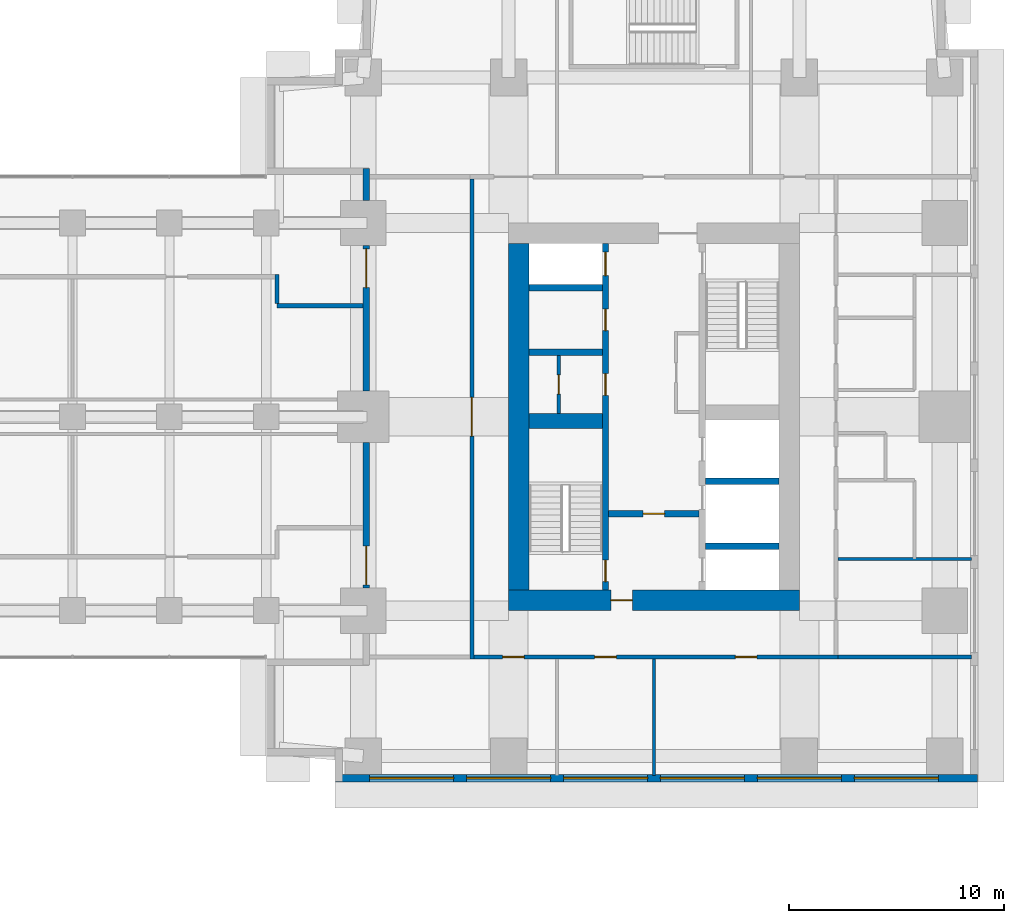
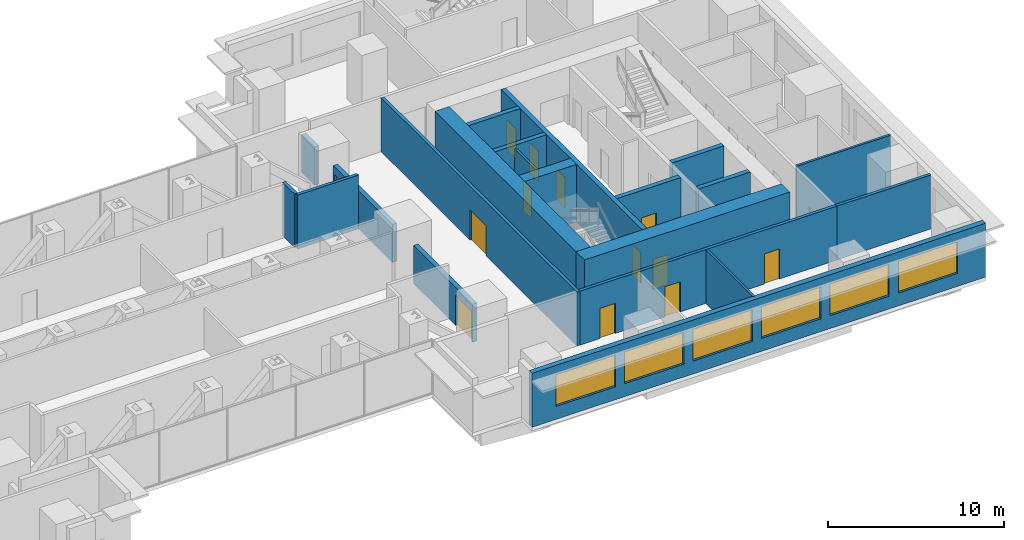
# One storey, part 10 of 16: 21 walls, 13 doors, 6 windows, 19 openings.
"""IFC4 building model written with IfcOpenShell, lengths in metres."""

from ifc_helpers import new_model, si_unit, direction, frame, frame_2d, origin, place, context, subcontext, project, spatial, rectangle, extrude, material, layer, layer_set, type_object, element, fill, save


model = new_model("IFC4")

# Units and contexts
model_context = context("Model", 3, precision=1e-05, world=origin(), true_north=direction((0.0, 1.0)))
body_context = subcontext(model_context, "Body", "Model", "MODEL_VIEW")
ifc_project = project(units=[si_unit("LENGTHUNIT", "METRE"), si_unit("AREAUNIT", "SQUARE_METRE"), si_unit("VOLUMEUNIT", "CUBIC_METRE"), si_unit("PLANEANGLEUNIT", "RADIAN"), si_unit("MASSUNIT", "GRAM", prefix="KILO")], contexts=[model_context])

# Site, building, storey
site_placement = place(None, origin())
site = spatial("IfcSite", under=ifc_project, at=site_placement, CompositionType="ELEMENT")
building_placement = place(site_placement, origin())
building = spatial("IfcBuilding", under=site, at=building_placement, Name="Namib Vertical Campus", CompositionType="ELEMENT")
storey_placement = place(building_placement, frame((0.0, 0.0, 129.0)))
storey = spatial("IfcBuildingStorey", under=building, at=storey_placement, Name="L30", CompositionType="ELEMENT", Elevation=129.0)

# Wall, openings, doors
ifc_material_1 = material(Name="Concrete C60/75", Category="concrete")
ifc_layer_1 = layer(ifc_material_1, 0.300048828125)
ifc_layer_set_1 = layer_set([ifc_layer_1], Name="Concrete C60/75")
wall_type_1 = type_object("IfcWallType", Name="Core inner wall 300", PredefinedType="SHEAR", material=ifc_layer_set_1)
wall_1_placement = place(storey_placement, frame((78.75, 12.199951171875, 0.0), z_axis=(0.0, 0.0, 1.0), x_axis=(0.0, 1.0, 0.0)))
wall_1 = element("IfcWall", 1, at=wall_1_placement, inside=storey, type_object=wall_type_1, Name="Core inner wall B L30 W1", PredefinedType="SHEAR", context=body_context, shape_type="SweptSolid", body=[
    extrude(rectangle(XDim=16.10009765625, YDim=0.300048828125, at=frame_2d((8.050048828125, 0.0))), origin(), (0.0, 0.0, 1.0), 4.0),
])
opening_1_placement = place(wall_1_placement, frame((0.39990234375, 0.0, 0.0)))
opening_1 = element("IfcOpeningElement", 2, at=opening_1_placement, cuts=wall_1, Name="Opening FD1", PredefinedType="OPENING", context=body_context, shape_type="SweptSolid", body=[
    extrude(rectangle(XDim=1.0, YDim=2.10009765625, at=frame_2d((0.5, 1.050048828125))), frame((0.0, 0.159912109375, 0.0), z_axis=(0.0, -1.0, 0.0), x_axis=(1.0, 0.0, 0.0)), (0.0, 0.0, 1.0), 0.320068359375),
])
opening_2_placement = place(wall_1_placement, frame((14.60009765625, 0.0, 0.0)))
opening_2 = element("IfcOpeningElement", 3, at=opening_2_placement, cuts=wall_1, Name="Opening LD1", PredefinedType="OPENING", context=body_context, shape_type="SweptSolid", body=[
    extrude(rectangle(XDim=1.10009765625, YDim=2.10009765625, at=frame_2d((0.550048828125, 1.050048828125))), frame((0.0, 0.159912109375, 0.0), z_axis=(0.0, -1.0, 0.0), x_axis=(1.0, 0.0, 0.0)), (0.0, 0.0, 1.0), 0.320068359375),
])
opening_3_placement = place(wall_1_placement, frame((9.050048828125, 0.0, 0.0)))
opening_3 = element("IfcOpeningElement", 4, at=opening_3_placement, cuts=wall_1, Name="Opening D1", PredefinedType="OPENING", context=body_context, shape_type="SweptSolid", body=[
    extrude(rectangle(XDim=1.0, YDim=2.10009765625, at=frame_2d((0.5, 1.050048828125))), frame((0.0, 0.159912109375, 0.0), z_axis=(0.0, -1.0, 0.0), x_axis=(1.0, 0.0, 0.0)), (0.0, 0.0, 1.0), 0.320068359375),
])
opening_4_placement = place(wall_1_placement, frame((12.050048828125, 0.0, 0.0)))
opening_4 = element("IfcOpeningElement", 5, at=opening_4_placement, cuts=wall_1, Name="Opening D1", PredefinedType="OPENING", context=body_context, shape_type="SweptSolid", body=[
    extrude(rectangle(XDim=1.0, YDim=2.10009765625, at=frame_2d((0.5, 1.050048828125))), frame((0.0, 0.159912109375, 0.0), z_axis=(0.0, -1.0, 0.0), x_axis=(1.0, 0.0, 0.0)), (0.0, 0.0, 1.0), 0.320068359375),
])
ifc_material_2 = material(Name="Timber door leaf", Category="wood")
door_type_1 = type_object("IfcDoorType", Name="Door single 1000x2100", OperationType="SINGLE_SWING_LEFT", PredefinedType="DOOR", material=ifc_material_2)
door_1_placement = place(opening_3_placement, origin())
door_1 = element("IfcDoor", 6, at=door_1_placement, inside=storey, type_object=door_type_1, Name="Door D1 Records store B L30 P1", OperationType="SINGLE_SWING_LEFT", OverallHeight=2.10009765625, OverallWidth=1.0, PredefinedType="DOOR", context=body_context, shape_type="SweptSolid", body=[
    extrude(rectangle(XDim=1.0, YDim=2.10009765625, at=frame_2d((0.5, 1.050048828125))), frame((0.0, 0.02490234375, 0.0), z_axis=(0.0, -1.0, 0.0), x_axis=(1.0, 0.0, 0.0)), (0.0, 0.0, 1.0), 0.050048828125),
])
fill(opening_3, door_1)
door_2_placement = place(opening_4_placement, origin())
door_2 = element("IfcDoor", 7, at=door_2_placement, inside=storey, type_object=door_type_1, Name="Door D1 Staff pantry B L30 P2", OperationType="SINGLE_SWING_LEFT", OverallHeight=2.10009765625, OverallWidth=1.0, PredefinedType="DOOR", context=body_context, shape_type="SweptSolid", body=[
    extrude(rectangle(XDim=1.0, YDim=2.10009765625, at=frame_2d((0.5, 1.050048828125))), frame((0.0, 0.02490234375, 0.0), z_axis=(0.0, -1.0, 0.0), x_axis=(1.0, 0.0, 0.0)), (0.0, 0.0, 1.0), 0.050048828125),
])
fill(opening_4, door_2)
ifc_material_3 = material(Name="Steel fire door", Category="steel")
door_type_2 = type_object("IfcDoorType", Name="Fire door 1000x2100", OperationType="SINGLE_SWING_RIGHT", PredefinedType="DOOR", material=ifc_material_3)
door_3_placement = place(opening_1_placement, origin())
door_3 = element("IfcDoor", 8, at=door_3_placement, inside=storey, type_object=door_type_2, Name="Stair door FD1 B L30 S1", OperationType="SINGLE_SWING_LEFT", OverallHeight=2.10009765625, OverallWidth=1.0, PredefinedType="DOOR", context=body_context, shape_type="SweptSolid", body=[
    extrude(rectangle(XDim=1.0, YDim=2.10009765625, at=frame_2d((0.5, 1.050048828125))), frame((0.0, 0.02490234375, 0.0), z_axis=(0.0, -1.0, 0.0), x_axis=(1.0, 0.0, 0.0)), (0.0, 0.0, 1.0), 0.050048828125),
])
fill(opening_1, door_3)
ifc_material_4 = material(Name="Stainless steel lift door", Category="steel")
door_type_3 = type_object("IfcDoorType", Name="Lift landing door 1100x2100", OperationType="DOUBLE_DOOR_SLIDING", PredefinedType="DOOR", material=ifc_material_4)
door_4_placement = place(opening_2_placement, origin())
door_4 = element("IfcDoor", 9, at=door_4_placement, inside=storey, type_object=door_type_3, Name="Lift landing door LD1 B-P3 L30", OperationType="DOUBLE_DOOR_SLIDING", OverallHeight=2.10009765625, OverallWidth=1.10009765625, PredefinedType="DOOR", context=body_context, shape_type="SweptSolid", body=[
    extrude(rectangle(XDim=1.10009765625, YDim=2.10009765625, at=frame_2d((0.550048828125, 1.050048828125))), frame((0.0, 0.02490234375, 0.0), z_axis=(0.0, -1.0, 0.0), x_axis=(1.0, 0.0, 0.0)), (0.0, 0.0, 1.0), 0.050048828125),
])
fill(opening_2, door_4)

# Wall, opening, door
wall_2_placement = place(storey_placement, frame((78.89990234375, 15.75, 0.0), z_axis=(0.0, 0.0, 1.0), x_axis=(1.0, 0.0, 0.0)))
wall_2 = element("IfcWall", 10, at=wall_2_placement, inside=storey, type_object=wall_type_1, Name="Core inner wall B L30 W4", PredefinedType="SHEAR", context=body_context, shape_type="SweptSolid", body=[
    extrude(rectangle(XDim=4.2001953125, YDim=0.300048828125, at=frame_2d((2.10009765625, 0.0))), origin(), (0.0, 0.0, 1.0), 4.0),
])
opening_5_placement = place(wall_2_placement, frame((1.60009765625, 0.0, 0.0)))
opening_5 = element("IfcOpeningElement", 11, at=opening_5_placement, cuts=wall_2, Name="Opening FD5", PredefinedType="OPENING", context=body_context, shape_type="SweptSolid", body=[
    extrude(rectangle(XDim=1.0, YDim=2.10009765625, at=frame_2d((0.5, 1.050048828125))), frame((0.0, 0.159912109375, 0.0), z_axis=(0.0, -1.0, 0.0), x_axis=(1.0, 0.0, 0.0)), (0.0, 0.0, 1.0), 0.320068359375),
])
ifc_material_5 = material(Name="Steel fire door", Category="steel")
door_type_4 = type_object("IfcDoorType", Name="Fire door 1000x2100 120 min", OperationType="SINGLE_SWING_RIGHT", PredefinedType="DOOR", material=ifc_material_5)
door_5_placement = place(opening_5_placement, frame((1.0, 0.0, 0.0), z_axis=(0.0, 0.0, 1.0), x_axis=(-1.0, 0.0, 0.0)))
door_5 = element("IfcDoor", 12, at=door_5_placement, inside=storey, type_object=door_type_4, Name="Lobby door FD5 B L30", OperationType="SINGLE_SWING_RIGHT", OverallHeight=2.10009765625, OverallWidth=1.0, PredefinedType="DOOR", context=body_context, shape_type="SweptSolid", body=[
    extrude(rectangle(XDim=1.0, YDim=2.10009765625, at=frame_2d((0.5, 1.050048828125))), frame((0.0, 0.02490234375, 0.0), z_axis=(0.0, -1.0, 0.0), x_axis=(1.0, 0.0, 0.0)), (0.0, 0.0, 1.0), 0.050048828125),
])
fill(opening_5, door_5)

# Walls
for number, where, z_axis, x_axis, name in (
    (13, (83.39990234375, 14.25, 0.0), (0.0, 0.0, 1.0), (1.0, 0.0, 0.0), "Core inner wall B L30 W5"),
    (14, (83.39990234375, 17.25, 0.0), (0.0, 0.0, 1.0), (1.0, 0.0, 0.0), "Core inner wall B L30 W6"),
    (15, (75.199951171875, 23.25, 0.0), (0.0, 0.0, 1.0), (1.0, 0.0, 0.0), "Core inner wall B L30 W8"),
    (16, (75.199951171875, 26.25, 0.0), (0.0, 0.0, 1.0), (1.0, 0.0, 0.0), "Core inner wall B L30 W9"),
):
    element("IfcWall", number, at=place(storey_placement, frame(where, z_axis=z_axis, x_axis=x_axis)), inside=storey, type_object=wall_type_1, Name=name, PredefinedType="SHEAR", context=body_context, shape_type="SweptSolid", body=[
        extrude(rectangle(XDim=3.400146484375, YDim=0.300048828125, at=frame_2d((1.7001953125, 0.0))), origin(), (0.0, 0.0, 1.0), 4.0),
    ])
ifc_material_6 = material(Name="Concrete C60/75", Category="concrete")
ifc_layer_2 = layer(ifc_material_6, 0.699951171875)
ifc_layer_set_2 = layer_set([ifc_layer_2], Name="Concrete C60/75")
wall_type_2 = type_object("IfcWallType", Name="Core shear wall 700", PredefinedType="SHEAR", material=ifc_layer_set_2)
wall_3_placement = place(storey_placement, frame((75.199951171875, 20.050048828125, 0.0), z_axis=(0.0, 0.0, 1.0), x_axis=(1.0, 0.0, 0.0)))
element("IfcWall", 17, at=wall_3_placement, inside=storey, type_object=wall_type_2, Name="Core shear wall B L30 W3", PredefinedType="SHEAR", context=body_context, shape_type="SweptSolid", body=[
    extrude(rectangle(XDim=3.400146484375, YDim=0.699951171875, at=frame_2d((1.7001953125, 0.0))), origin(), (0.0, 0.0, 1.0), 4.0),
])

# Wall, opening, door
ifc_material_7 = material(Name="Concrete C60/75", Category="concrete")
ifc_layer_3 = layer(ifc_material_7, 0.949951171875)
ifc_layer_set_3 = layer_set([ifc_layer_3], Name="Concrete C60/75")
wall_type_3 = type_object("IfcWallType", Name="Core wall 950", PredefinedType="SHEAR", material=ifc_layer_set_3)
wall_4_placement = place(storey_placement, frame((74.25, 11.72509765625, 0.0), z_axis=(0.0, 0.0, 1.0), x_axis=(1.0, 0.0, 0.0)))
wall_4 = element("IfcWall", 18, at=wall_4_placement, inside=storey, type_object=wall_type_3, Name="Core wall B L30 1", PredefinedType="SHEAR", context=body_context, shape_type="SweptSolid", body=[
    extrude(rectangle(XDim=13.5, YDim=0.949951171875, at=frame_2d((6.75, 0.0))), origin(), (0.0, 0.0, 1.0), 4.0),
])
opening_6_placement = place(wall_4_placement, frame((4.75, 0.0, 0.0)))
opening_6 = element("IfcOpeningElement", 19, at=opening_6_placement, cuts=wall_4, Name="Opening FD5", PredefinedType="OPENING", context=body_context, shape_type="SweptSolid", body=[
    extrude(rectangle(XDim=1.0, YDim=2.10009765625, at=frame_2d((0.5, 1.050048828125))), frame((0.0, 0.48486328125, 0.0), z_axis=(0.0, -1.0, 0.0), x_axis=(1.0, 0.0, 0.0)), (0.0, 0.0, 1.0), 0.969970703125),
])
door_6_placement = place(opening_6_placement, origin())
door_6 = element("IfcDoor", 20, at=door_6_placement, inside=storey, type_object=door_type_4, Name="Firefighting lobby door FD5 B L30", OperationType="SINGLE_SWING_LEFT", OverallHeight=2.10009765625, OverallWidth=1.0, PredefinedType="DOOR", context=body_context, shape_type="SweptSolid", body=[
    extrude(rectangle(XDim=1.0, YDim=2.10009765625, at=frame_2d((0.5, 1.050048828125))), frame((0.0, 0.02490234375, 0.0), z_axis=(0.0, -1.0, 0.0), x_axis=(1.0, 0.0, 0.0)), (0.0, 0.0, 1.0), 0.050048828125),
])
fill(opening_6, door_6)

# Wall
wall_5_placement = place(storey_placement, frame((74.72509765625, 28.300048828125, 0.0), z_axis=(0.0, 0.0, 1.0), x_axis=(0.0, -1.0, 0.0)))
element("IfcWall", 21, at=wall_5_placement, inside=storey, type_object=wall_type_3, Name="Core wall B L30 4", PredefinedType="SHEAR", context=body_context, shape_type="SweptSolid", body=[
    extrude(rectangle(XDim=16.10009765625, YDim=0.949951171875, at=frame_2d((8.050048828125, 0.0))), origin(), (0.0, 0.0, 1.0), 4.0),
])

# Wall, openings, doors
ifc_material_8 = material(Name="Concrete masonry", Category="masonry")
ifc_layer_4 = layer(ifc_material_8, 0.199951171875)
ifc_layer_set_4 = layer_set([ifc_layer_4], Name="Corridor wall 200")
wall_type_4 = type_object("IfcWallType", Name="Corridor wall 200", PredefinedType="SOLIDWALL", material=ifc_layer_set_4)
wall_6_placement = place(storey_placement, frame((72.64990234375, 9.10009765625, 0.0), z_axis=(0.0, 0.0, 1.0), x_axis=(1.0, 0.0, 0.0)))
wall_6 = element("IfcWall", 22, at=wall_6_placement, inside=storey, type_object=wall_type_4, Name="Corridor wall B L30 CS", PredefinedType="SOLIDWALL", context=body_context, shape_type="SweptSolid", body=[
    extrude(rectangle(XDim=16.900146484375, YDim=0.199951171875, at=frame_2d((8.4501953125, 0.0))), origin(), (0.0, 0.0, 1.0), 3.75),
])
opening_7_placement = place(wall_6_placement, frame((1.324951171875, 0.0, 0.0)))
opening_7 = element("IfcOpeningElement", 23, at=opening_7_placement, cuts=wall_6, Name="Opening CD1", PredefinedType="OPENING", context=body_context, shape_type="SweptSolid", body=[
    extrude(rectangle(XDim=1.0, YDim=2.10009765625, at=frame_2d((0.5, 1.050048828125))), frame((0.0, 0.10986328125, 0.0), z_axis=(0.0, -1.0, 0.0), x_axis=(1.0, 0.0, 0.0)), (0.0, 0.0, 1.0), 0.219970703125),
])
opening_8_placement = place(wall_6_placement, frame((5.60009765625, 0.0, 0.0)))
opening_8 = element("IfcOpeningElement", 24, at=opening_8_placement, cuts=wall_6, Name="Opening CD1", PredefinedType="OPENING", context=body_context, shape_type="SweptSolid", body=[
    extrude(rectangle(XDim=1.0, YDim=2.10009765625, at=frame_2d((0.5, 1.050048828125))), frame((0.0, 0.10986328125, 0.0), z_axis=(0.0, -1.0, 0.0), x_axis=(1.0, 0.0, 0.0)), (0.0, 0.0, 1.0), 0.219970703125),
])
opening_9_placement = place(wall_6_placement, frame((12.125, 0.0, 0.0)))
opening_9 = element("IfcOpeningElement", 25, at=opening_9_placement, cuts=wall_6, Name="Opening CD1", PredefinedType="OPENING", context=body_context, shape_type="SweptSolid", body=[
    extrude(rectangle(XDim=1.0, YDim=2.10009765625, at=frame_2d((0.5, 1.050048828125))), frame((0.0, 0.10986328125, 0.0), z_axis=(0.0, -1.0, 0.0), x_axis=(1.0, 0.0, 0.0)), (0.0, 0.0, 1.0), 0.219970703125),
])
ifc_material_9 = material(Name="Timber fire door leaf", Category="wood")
door_type_5 = type_object("IfcDoorType", Name="Corridor door 1000x2100 20 min", OperationType="SINGLE_SWING_LEFT", PredefinedType="DOOR", material=ifc_material_9)
door_7_placement = place(opening_7_placement, frame((1.0, 0.0, 0.0), z_axis=(0.0, 0.0, 1.0), x_axis=(-1.0, 0.0, 0.0)))
door_7 = element("IfcDoor", 26, at=door_7_placement, inside=storey, type_object=door_type_5, Name="Door CD1 B30-01", OperationType="SINGLE_SWING_LEFT", OverallHeight=2.10009765625, OverallWidth=1.0, PredefinedType="DOOR", context=body_context, shape_type="SweptSolid", body=[
    extrude(rectangle(XDim=1.0, YDim=2.10009765625, at=frame_2d((0.5, 1.050048828125))), frame((0.0, 0.02490234375, 0.0), z_axis=(0.0, -1.0, 0.0), x_axis=(1.0, 0.0, 0.0)), (0.0, 0.0, 1.0), 0.050048828125),
])
fill(opening_7, door_7)
door_8_placement = place(opening_8_placement, frame((1.0, 0.0, 0.0), z_axis=(0.0, 0.0, 1.0), x_axis=(-1.0, 0.0, 0.0)))
door_8 = element("IfcDoor", 27, at=door_8_placement, inside=storey, type_object=door_type_5, Name="Door CD1 B30-02", OperationType="SINGLE_SWING_RIGHT", OverallHeight=2.10009765625, OverallWidth=1.0, PredefinedType="DOOR", context=body_context, shape_type="SweptSolid", body=[
    extrude(rectangle(XDim=1.0, YDim=2.10009765625, at=frame_2d((0.5, 1.050048828125))), frame((0.0, 0.02490234375, 0.0), z_axis=(0.0, -1.0, 0.0), x_axis=(1.0, 0.0, 0.0)), (0.0, 0.0, 1.0), 0.050048828125),
])
fill(opening_8, door_8)
door_9_placement = place(opening_9_placement, frame((1.0, 0.0, 0.0), z_axis=(0.0, 0.0, 1.0), x_axis=(-1.0, 0.0, 0.0)))
door_9 = element("IfcDoor", 28, at=door_9_placement, inside=storey, type_object=door_type_5, Name="Door CD1 B30-03", OperationType="SINGLE_SWING_RIGHT", OverallHeight=2.10009765625, OverallWidth=1.0, PredefinedType="DOOR", context=body_context, shape_type="SweptSolid", body=[
    extrude(rectangle(XDim=1.0, YDim=2.10009765625, at=frame_2d((0.5, 1.050048828125))), frame((0.0, 0.02490234375, 0.0), z_axis=(0.0, -1.0, 0.0), x_axis=(1.0, 0.0, 0.0)), (0.0, 0.0, 1.0), 0.050048828125),
])
fill(opening_9, door_9)

# Wall, opening, door
wall_7_placement = place(storey_placement, frame((72.550048828125, 31.300048828125, 0.0), z_axis=(0.0, 0.0, 1.0), x_axis=(0.0, -1.0, 0.0)))
wall_7 = element("IfcWall", 29, at=wall_7_placement, inside=storey, type_object=wall_type_4, Name="Corridor wall B L30 CW", PredefinedType="SOLIDWALL", context=body_context, shape_type="SweptSolid", body=[
    extrude(rectangle(XDim=22.300048828125, YDim=0.199951171875, at=frame_2d((11.14990234375, 0.0))), origin(), (0.0, 0.0, 1.0), 3.75),
])
opening_10_placement = place(wall_7_placement, frame((10.14990234375, 0.0, 0.0)))
opening_10 = element("IfcOpeningElement", 30, at=opening_10_placement, cuts=wall_7, Name="Opening FD2", PredefinedType="OPENING", context=body_context, shape_type="SweptSolid", body=[
    extrude(rectangle(XDim=1.800048828125, YDim=2.10009765625, at=frame_2d((0.89990234375, 1.050048828125))), frame((0.0, 0.10986328125, 0.0), z_axis=(0.0, -1.0, 0.0), x_axis=(1.0, 0.0, 0.0)), (0.0, 0.0, 1.0), 0.219970703125),
])
ifc_material_10 = material(Name="Steel fire door", Category="steel")
door_type_6 = type_object("IfcDoorType", Name="Fire door double 1800x2100", OperationType="DOUBLE_DOOR_SINGLE_SWING", PredefinedType="DOOR", material=ifc_material_10)
door_10_placement = place(opening_10_placement, origin())
door_10 = element("IfcDoor", 31, at=door_10_placement, inside=storey, type_object=door_type_6, Name="Door FD2 B30-14", OperationType="DOUBLE_DOOR_SINGLE_SWING", OverallHeight=2.10009765625, OverallWidth=1.800048828125, PredefinedType="DOOR", context=body_context, shape_type="SweptSolid", body=[
    extrude(rectangle(XDim=1.800048828125, YDim=2.10009765625, at=frame_2d((0.89990234375, 1.050048828125))), frame((0.0, 0.02490234375, 0.0), z_axis=(0.0, -1.0, 0.0), x_axis=(1.0, 0.0, 0.0)), (0.0, 0.0, 1.0), 0.050048828125),
])
fill(opening_10, door_10)

# Walls
wall_8_placement = place(storey_placement, frame((89.550048828125, 9.10009765625, 0.0), z_axis=(0.0, 0.0, 1.0), x_axis=(1.0, 0.0, 0.0)))
element("IfcWall", 32, at=wall_8_placement, inside=storey, type_object=wall_type_4, Name="Partition B L30 BSE", PredefinedType="SOLIDWALL", context=body_context, shape_type="SweptSolid", body=[
    extrude(rectangle(XDim=6.199951171875, YDim=0.199951171875, at=frame_2d((3.10009765625, 0.0))), origin(), (0.0, 0.0, 1.0), 3.75),
])
wall_9_placement = place(storey_placement, frame((63.5, 25.39990234375, 0.0), z_axis=(0.0, 0.0, 1.0), x_axis=(1.0, 0.0, 0.0)))
element("IfcWall", 33, at=wall_9_placement, inside=storey, type_object=wall_type_4, Name="Lobby wall L30 NE", PredefinedType="SOLIDWALL", context=body_context, shape_type="SweptSolid", body=[
    extrude(rectangle(XDim=4.0, YDim=0.199951171875, at=frame_2d((2.0, 0.0))), origin(), (0.0, 0.0, 1.0), 3.75),
])
wall_10_placement = place(storey_placement, frame((63.5, 26.85009765625, 0.0), z_axis=(0.0, 0.0, 1.0), x_axis=(0.0, -1.0, 0.0)))
element("IfcWall", 34, at=wall_10_placement, inside=storey, type_object=wall_type_4, Name="Lobby side wall L30 NE", PredefinedType="SOLIDWALL", context=body_context, shape_type="SweptSolid", body=[
    extrude(rectangle(XDim=1.35009765625, YDim=0.199951171875, at=frame_2d((0.675048828125, 0.0))), origin(), (0.0, 0.0, 1.0), 3.75),
])

# Wall, openings, windows
ifc_material_11 = material(Name="Concrete C40/50", Category="concrete")
ifc_layer_5 = layer(ifc_material_11, 0.35009765625)
ifc_layer_set_5 = layer_set([ifc_layer_5], Name="Concrete C40/50")
wall_type_5 = type_object("IfcWallType", Name="External wall 350 bush-hammered concrete", PredefinedType="STANDARD", material=ifc_layer_set_5)
wall_11_placement = place(storey_placement, frame((66.219970703125, 3.47509765625, 0.0), z_axis=(0.0, 0.0, 1.0), x_axis=(1.0, 0.0, 0.0)))
wall_11 = element("IfcWall", 35, at=wall_11_placement, inside=storey, type_object=wall_type_5, Name="External wall L30 F04", PredefinedType="STANDARD", context=body_context, shape_type="SweptSolid", body=[
    extrude(rectangle(XDim=29.81005859375, YDim=0.35009765625, at=frame_2d((14.905029296875, 0.0))), origin(), (0.0, 0.0, 1.0), 3.75),
])
opening_11_placement = place(wall_11_placement, frame((1.580078125, 0.0, 0.89990234375)))
opening_11 = element("IfcOpeningElement", 36, at=opening_11_placement, cuts=wall_11, Name="Opening W1", PredefinedType="OPENING", context=body_context, shape_type="SweptSolid", body=[
    extrude(rectangle(XDim=3.89990234375, YDim=2.199951171875, at=frame_2d((1.949951171875, 1.10009765625))), frame((0.0, 0.18505859375, 0.0), z_axis=(0.0, -1.0, 0.0), x_axis=(1.0, 0.0, 0.0)), (0.0, 0.0, 1.0), 0.3701171875),
])
opening_12_placement = place(wall_11_placement, frame((6.080078125, 0.0, 0.89990234375)))
opening_12 = element("IfcOpeningElement", 37, at=opening_12_placement, cuts=wall_11, Name="Opening W1", PredefinedType="OPENING", context=body_context, shape_type="SweptSolid", body=[
    extrude(rectangle(XDim=3.89990234375, YDim=2.199951171875, at=frame_2d((1.949951171875, 1.10009765625))), frame((0.0, 0.18505859375, 0.0), z_axis=(0.0, -1.0, 0.0), x_axis=(1.0, 0.0, 0.0)), (0.0, 0.0, 1.0), 0.3701171875),
])
opening_13_placement = place(wall_11_placement, frame((10.580078125, 0.0, 0.89990234375)))
opening_13 = element("IfcOpeningElement", 38, at=opening_13_placement, cuts=wall_11, Name="Opening W1", PredefinedType="OPENING", context=body_context, shape_type="SweptSolid", body=[
    extrude(rectangle(XDim=3.89990234375, YDim=2.199951171875, at=frame_2d((1.949951171875, 1.10009765625))), frame((0.0, 0.18505859375, 0.0), z_axis=(0.0, -1.0, 0.0), x_axis=(1.0, 0.0, 0.0)), (0.0, 0.0, 1.0), 0.3701171875),
])
opening_14_placement = place(wall_11_placement, frame((15.080078125, 0.0, 0.89990234375)))
opening_14 = element("IfcOpeningElement", 39, at=opening_14_placement, cuts=wall_11, Name="Opening W1", PredefinedType="OPENING", context=body_context, shape_type="SweptSolid", body=[
    extrude(rectangle(XDim=3.89990234375, YDim=2.199951171875, at=frame_2d((1.949951171875, 1.10009765625))), frame((0.0, 0.18505859375, 0.0), z_axis=(0.0, -1.0, 0.0), x_axis=(1.0, 0.0, 0.0)), (0.0, 0.0, 1.0), 0.3701171875),
])
opening_15_placement = place(wall_11_placement, frame((19.580078125, 0.0, 0.89990234375)))
opening_15 = element("IfcOpeningElement", 40, at=opening_15_placement, cuts=wall_11, Name="Opening W1", PredefinedType="OPENING", context=body_context, shape_type="SweptSolid", body=[
    extrude(rectangle(XDim=3.89990234375, YDim=2.199951171875, at=frame_2d((1.949951171875, 1.10009765625))), frame((0.0, 0.18505859375, 0.0), z_axis=(0.0, -1.0, 0.0), x_axis=(1.0, 0.0, 0.0)), (0.0, 0.0, 1.0), 0.3701171875),
])
opening_16_placement = place(wall_11_placement, frame((24.080078125, 0.0, 0.89990234375)))
opening_16 = element("IfcOpeningElement", 41, at=opening_16_placement, cuts=wall_11, Name="Opening W1", PredefinedType="OPENING", context=body_context, shape_type="SweptSolid", body=[
    extrude(rectangle(XDim=3.89990234375, YDim=2.199951171875, at=frame_2d((1.949951171875, 1.10009765625))), frame((0.0, 0.18505859375, 0.0), z_axis=(0.0, -1.0, 0.0), x_axis=(1.0, 0.0, 0.0)), (0.0, 0.0, 1.0), 0.3701171875),
])
ifc_material_12 = material(Name="Dark tinted glass in black aluminium frame", Category="aluminium")
window_type = type_object("IfcWindowType", Name="Ribbon window 3900x2200", PartitioningType="SINGLE_PANEL", PredefinedType="WINDOW", material=ifc_material_12)
window_1_placement = place(opening_11_placement, origin())
window_1 = element("IfcWindow", 42, at=window_1_placement, inside=storey, type_object=window_type, Name="Window W1 L30 F04-1", OverallHeight=2.199951171875, OverallWidth=3.89990234375, PartitioningType="SINGLE_PANEL", PredefinedType="WINDOW", context=body_context, shape_type="SweptSolid", body=[
    extrude(rectangle(XDim=3.89990234375, YDim=2.199951171875, at=frame_2d((1.949951171875, 1.10009765625))), frame((0.0, 0.030029296875, 0.0), z_axis=(0.0, -1.0, 0.0), x_axis=(1.0, 0.0, 0.0)), (0.0, 0.0, 1.0), 0.06005859375),
])
fill(opening_11, window_1)
window_2_placement = place(opening_12_placement, origin())
window_2 = element("IfcWindow", 43, at=window_2_placement, inside=storey, type_object=window_type, Name="Window W1 L30 F04-2", OverallHeight=2.199951171875, OverallWidth=3.89990234375, PartitioningType="SINGLE_PANEL", PredefinedType="WINDOW", context=body_context, shape_type="SweptSolid", body=[
    extrude(rectangle(XDim=3.89990234375, YDim=2.199951171875, at=frame_2d((1.949951171875, 1.10009765625))), frame((0.0, 0.030029296875, 0.0), z_axis=(0.0, -1.0, 0.0), x_axis=(1.0, 0.0, 0.0)), (0.0, 0.0, 1.0), 0.06005859375),
])
fill(opening_12, window_2)
window_3_placement = place(opening_13_placement, origin())
window_3 = element("IfcWindow", 44, at=window_3_placement, inside=storey, type_object=window_type, Name="Window W1 L30 F04-3", OverallHeight=2.199951171875, OverallWidth=3.89990234375, PartitioningType="SINGLE_PANEL", PredefinedType="WINDOW", context=body_context, shape_type="SweptSolid", body=[
    extrude(rectangle(XDim=3.89990234375, YDim=2.199951171875, at=frame_2d((1.949951171875, 1.10009765625))), frame((0.0, 0.030029296875, 0.0), z_axis=(0.0, -1.0, 0.0), x_axis=(1.0, 0.0, 0.0)), (0.0, 0.0, 1.0), 0.06005859375),
])
fill(opening_13, window_3)
window_4_placement = place(opening_14_placement, origin())
window_4 = element("IfcWindow", 45, at=window_4_placement, inside=storey, type_object=window_type, Name="Window W1 L30 F04-4", OverallHeight=2.199951171875, OverallWidth=3.89990234375, PartitioningType="SINGLE_PANEL", PredefinedType="WINDOW", context=body_context, shape_type="SweptSolid", body=[
    extrude(rectangle(XDim=3.89990234375, YDim=2.199951171875, at=frame_2d((1.949951171875, 1.10009765625))), frame((0.0, 0.030029296875, 0.0), z_axis=(0.0, -1.0, 0.0), x_axis=(1.0, 0.0, 0.0)), (0.0, 0.0, 1.0), 0.06005859375),
])
fill(opening_14, window_4)
window_5_placement = place(opening_15_placement, origin())
window_5 = element("IfcWindow", 46, at=window_5_placement, inside=storey, type_object=window_type, Name="Window W1 L30 F04-5", OverallHeight=2.199951171875, OverallWidth=3.89990234375, PartitioningType="SINGLE_PANEL", PredefinedType="WINDOW", context=body_context, shape_type="SweptSolid", body=[
    extrude(rectangle(XDim=3.89990234375, YDim=2.199951171875, at=frame_2d((1.949951171875, 1.10009765625))), frame((0.0, 0.030029296875, 0.0), z_axis=(0.0, -1.0, 0.0), x_axis=(1.0, 0.0, 0.0)), (0.0, 0.0, 1.0), 0.06005859375),
])
fill(opening_15, window_5)
window_6_placement = place(opening_16_placement, origin())
window_6 = element("IfcWindow", 47, at=window_6_placement, inside=storey, type_object=window_type, Name="Window W1 L30 F04-6", OverallHeight=2.199951171875, OverallWidth=3.89990234375, PartitioningType="SINGLE_PANEL", PredefinedType="WINDOW", context=body_context, shape_type="SweptSolid", body=[
    extrude(rectangle(XDim=3.89990234375, YDim=2.199951171875, at=frame_2d((1.949951171875, 1.10009765625))), frame((0.0, 0.030029296875, 0.0), z_axis=(0.0, -1.0, 0.0), x_axis=(1.0, 0.0, 0.0)), (0.0, 0.0, 1.0), 0.06005859375),
])
fill(opening_16, window_6)

# Wall
ifc_material_13 = material(Name="Concrete masonry", Category="masonry")
ifc_layer_6 = layer(ifc_material_13, 0.300048828125)
ifc_layer_set_6 = layer_set([ifc_layer_6], Name="Fire wall 300")
wall_type_6 = type_object("IfcWallType", Name="Fire wall 300", PredefinedType="SOLIDWALL", material=ifc_layer_set_6)
wall_12_placement = place(storey_placement, frame((67.64990234375, 31.780029296875, 0.0), z_axis=(0.0, 0.0, 1.0), x_axis=(0.0, -1.0, 0.0)))
element("IfcWall", 48, at=wall_12_placement, inside=storey, type_object=wall_type_6, Name="External wall L30 F15", PredefinedType="SOLIDWALL", context=body_context, shape_type="SweptSolid", body=[
    extrude(rectangle(XDim=1.47998046875, YDim=0.300048828125, at=frame_2d((0.739990234375, 0.0))), origin(), (0.0, 0.0, 1.0), 2.64990234375),
])

# Wall, opening, door
wall_13_placement = place(storey_placement, frame((67.64990234375, 28.199951171875, 0.0), z_axis=(0.0, 0.0, 1.0), x_axis=(0.0, -1.0, 0.0)))
wall_13 = element("IfcWall", 49, at=wall_13_placement, inside=storey, type_object=wall_type_6, Name="External wall L30 F15", PredefinedType="SOLIDWALL", context=body_context, shape_type="SweptSolid", body=[
    extrude(rectangle(XDim=6.75, YDim=0.300048828125, at=frame_2d((3.375, 0.0))), origin(), (0.0, 0.0, 1.0), 2.64990234375),
])
opening_17_placement = place(wall_13_placement, frame((0.14990234375, 0.0, 0.0)))
opening_17 = element("IfcOpeningElement", 50, at=opening_17_placement, cuts=wall_13, Name="Opening FD4", PredefinedType="OPENING", context=body_context, shape_type="SweptSolid", body=[
    extrude(rectangle(XDim=1.800048828125, YDim=2.10009765625, at=frame_2d((0.89990234375, 1.050048828125))), frame((0.0, 0.159912109375, 0.0), z_axis=(0.0, -1.0, 0.0), x_axis=(1.0, 0.0, 0.0)), (0.0, 0.0, 1.0), 0.320068359375),
])
ifc_material_14 = material(Name="Steel fire door", Category="steel")
door_type_7 = type_object("IfcDoorType", Name="Fire door double 1800x2100 120 min", OperationType="DOUBLE_DOOR_SINGLE_SWING", PredefinedType="DOOR", material=ifc_material_14)
door_11_placement = place(opening_17_placement, origin())
door_11 = element("IfcDoor", 51, at=door_11_placement, inside=storey, type_object=door_type_7, Name="Bridge fire door FD4 B L30 north", OperationType="DOUBLE_DOOR_SINGLE_SWING", OverallHeight=2.10009765625, OverallWidth=1.800048828125, PredefinedType="DOOR", context=body_context, shape_type="SweptSolid", body=[
    extrude(rectangle(XDim=1.800048828125, YDim=2.10009765625, at=frame_2d((0.89990234375, 1.050048828125))), frame((0.0, 0.02490234375, 0.0), z_axis=(0.0, -1.0, 0.0), x_axis=(1.0, 0.0, 0.0)), (0.0, 0.0, 1.0), 0.050048828125),
])
fill(opening_17, door_11)

wall_14_placement = place(storey_placement, frame((67.64990234375, 19.050048828125, 0.0), z_axis=(0.0, 0.0, 1.0), x_axis=(0.0, -1.0, 0.0)))
wall_14 = element("IfcWall", 52, at=wall_14_placement, inside=storey, type_object=wall_type_6, Name="External wall L30 F15", PredefinedType="SOLIDWALL", context=body_context, shape_type="SweptSolid", body=[
    extrude(rectangle(XDim=6.75, YDim=0.300048828125, at=frame_2d((3.375, 0.0))), origin(), (0.0, 0.0, 1.0), 2.64990234375),
])
opening_18_placement = place(wall_14_placement, frame((4.800048828125, 0.0, 0.0)))
opening_18 = element("IfcOpeningElement", 53, at=opening_18_placement, cuts=wall_14, Name="Opening FD4", PredefinedType="OPENING", context=body_context, shape_type="SweptSolid", body=[
    extrude(rectangle(XDim=1.800048828125, YDim=2.10009765625, at=frame_2d((0.89990234375, 1.050048828125))), frame((0.0, 0.159912109375, 0.0), z_axis=(0.0, -1.0, 0.0), x_axis=(1.0, 0.0, 0.0)), (0.0, 0.0, 1.0), 0.320068359375),
])
door_12_placement = place(opening_18_placement, origin())
door_12 = element("IfcDoor", 54, at=door_12_placement, inside=storey, type_object=door_type_7, Name="Bridge fire door FD4 B L30", OperationType="DOUBLE_DOOR_SINGLE_SWING", OverallHeight=2.10009765625, OverallWidth=1.800048828125, PredefinedType="DOOR", context=body_context, shape_type="SweptSolid", body=[
    extrude(rectangle(XDim=1.800048828125, YDim=2.10009765625, at=frame_2d((0.89990234375, 1.050048828125))), frame((0.0, 0.02490234375, 0.0), z_axis=(0.0, -1.0, 0.0), x_axis=(1.0, 0.0, 0.0)), (0.0, 0.0, 1.0), 0.050048828125),
])
fill(opening_18, door_12)

ifc_material_15 = material(Name="Gypsum board on steel studs", Category="steel")
ifc_layer_7 = layer(ifc_material_15, 0.14990234375)
ifc_layer_set_7 = layer_set([ifc_layer_7], Name="Gypsum board on steel studs")
wall_type_7 = type_object("IfcWallType", Name="Partition 150", PredefinedType="PARTITIONING", material=ifc_layer_set_7)
wall_15_placement = place(storey_placement, frame((76.574951171875, 20.39990234375, 0.0), z_axis=(0.0, 0.0, 1.0), x_axis=(0.0, 1.0, 0.0)))
wall_15 = element("IfcWall", 55, at=wall_15_placement, inside=storey, type_object=wall_type_7, Name="Partition B L30 Records store P1 back", PredefinedType="PARTITIONING", context=body_context, shape_type="SweptSolid", body=[
    extrude(rectangle(XDim=2.7001953125, YDim=0.14990234375, at=frame_2d((1.35009765625, 0.0))), origin(), (0.0, 0.0, 1.0), 3.75),
])
opening_19_placement = place(wall_15_placement, frame((0.89990234375, 0.0, 0.0)))
opening_19 = element("IfcOpeningElement", 56, at=opening_19_placement, cuts=wall_15, Name="Opening D3", PredefinedType="OPENING", context=body_context, shape_type="SweptSolid", body=[
    extrude(rectangle(XDim=0.89990234375, YDim=2.10009765625, at=frame_2d((0.449951171875, 1.050048828125))), frame((0.0, 0.0849609375, 0.0), z_axis=(0.0, -1.0, 0.0), x_axis=(1.0, 0.0, 0.0)), (0.0, 0.0, 1.0), 0.169921875),
])
ifc_material_16 = material(Name="Timber door leaf", Category="wood")
door_type_8 = type_object("IfcDoorType", Name="Toilet door 900x2100", OperationType="SINGLE_SWING_LEFT", PredefinedType="DOOR", material=ifc_material_16)
door_13_placement = place(opening_19_placement, origin())
door_13 = element("IfcDoor", 57, at=door_13_placement, inside=storey, type_object=door_type_8, Name="Door D3 Store B L30 P1", OperationType="SINGLE_SWING_LEFT", OverallHeight=2.10009765625, OverallWidth=0.89990234375, PredefinedType="DOOR", context=body_context, shape_type="SweptSolid", body=[
    extrude(rectangle(XDim=0.89990234375, YDim=2.10009765625, at=frame_2d((0.449951171875, 1.050048828125))), frame((0.0, 0.02490234375, 0.0), z_axis=(0.0, -1.0, 0.0), x_axis=(1.0, 0.0, 0.0)), (0.0, 0.0, 1.0), 0.050048828125),
])
fill(opening_19, door_13)

# Walls
wall_16_placement = place(storey_placement, frame((81.0, 3.60009765625, 0.0), z_axis=(0.0, 0.0, 1.0), x_axis=(0.0, 1.0, 0.0)))
element("IfcWall", 58, at=wall_16_placement, inside=storey, type_object=wall_type_7, Name="Partition B L30 PS2", PredefinedType="PARTITIONING", context=body_context, shape_type="SweptSolid", body=[
    extrude(rectangle(XDim=5.39990234375, YDim=0.14990234375, at=frame_2d((2.699951171875, 0.0))), origin(), (0.0, 0.0, 1.0), 3.75),
])
wall_17_placement = place(storey_placement, frame((89.550048828125, 13.64990234375, 0.0), z_axis=(0.0, 0.0, 1.0), x_axis=(1.0, 0.0, 0.0)))
element("IfcWall", 59, at=wall_17_placement, inside=storey, type_object=wall_type_7, Name="Partition B L30 PE1", PredefinedType="PARTITIONING", context=body_context, shape_type="SweptSolid", body=[
    extrude(rectangle(XDim=6.199951171875, YDim=0.14990234375, at=frame_2d((3.10009765625, 0.0))), origin(), (0.0, 0.0, 1.0), 3.75),
])

save(model, "model.ifc")
